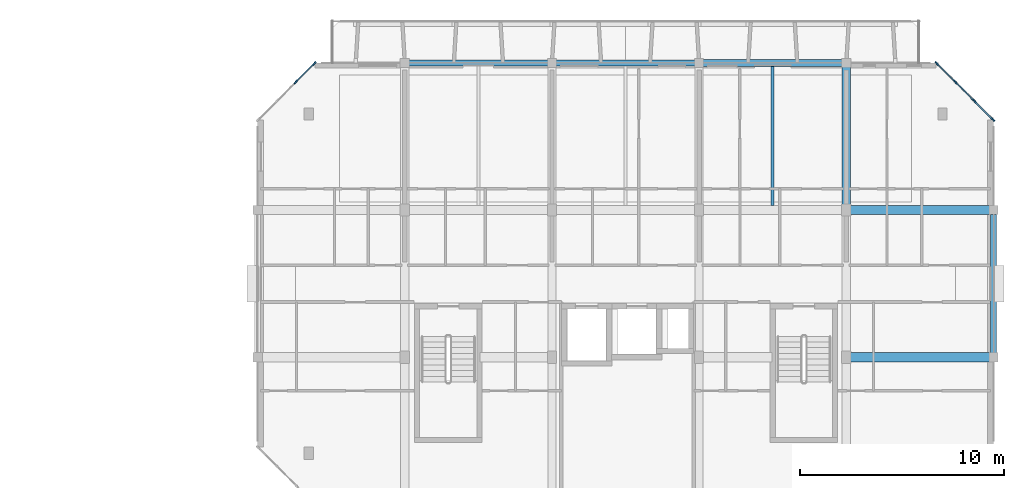
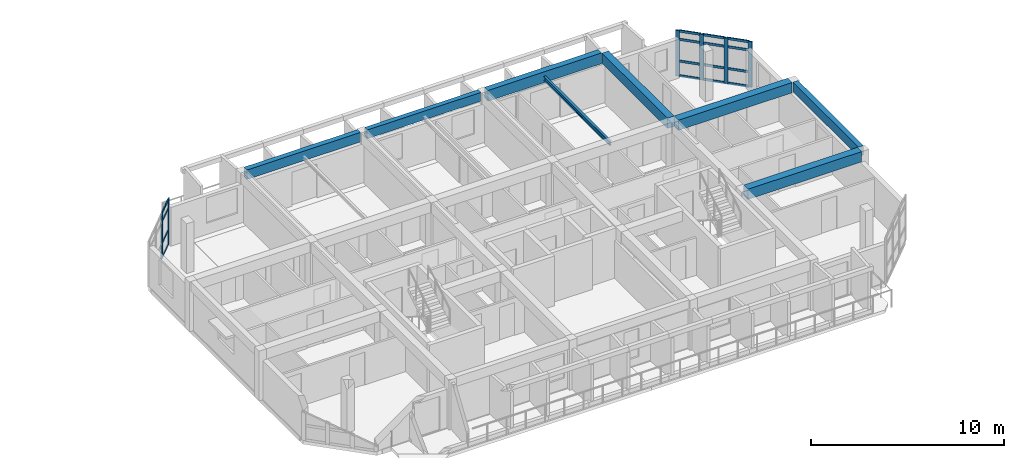
# One storey, part 8 of 30: 22 members, 8 beams, 2 elements without a shape of their own.
"""IFC4 building model written with IfcOpenShell, lengths in metres."""

from ifc_helpers import new_model, si_unit, direction, frame, origin, origin_2d, place, context, subcontext, project, spatial, rectangle, i_section, extrude, material, layer, layer_set, material_profile, profile_set, type_object, element, aggregate, save


model = new_model("IFC4")

# Units and contexts
model_context = context("Model", 3, precision=1e-05, world=origin(), true_north=direction((0.0, 1.0)))
body_context = subcontext(model_context, "Body", "Model", "MODEL_VIEW")
ifc_project = project(units=[si_unit("LENGTHUNIT", "METRE"), si_unit("AREAUNIT", "SQUARE_METRE"), si_unit("VOLUMEUNIT", "CUBIC_METRE"), si_unit("PLANEANGLEUNIT", "RADIAN"), si_unit("MASSUNIT", "GRAM", prefix="KILO")], contexts=[model_context])

# Site, building, storey
site_placement = place(None, origin())
site = spatial("IfcSite", under=ifc_project, at=site_placement, CompositionType="ELEMENT")
building_placement = place(site_placement, origin())
building = spatial("IfcBuilding", under=site, at=building_placement, Name="Ochrevale Crest", CompositionType="ELEMENT")
storey_placement = place(building_placement, frame((0.0, 0.0, 33.89990234375)))
storey = spatial("IfcBuildingStorey", under=building, at=storey_placement, Name="L10", CompositionType="ELEMENT", Elevation=33.89990234375)

# Beams
ifc_material_1 = material(Name="Precast concrete C50/60", Category="concrete")
ifc_material_profile_1 = material_profile(ifc_material_1, rectangle(XDim=0.39990234375, YDim=0.64990234375, at=origin_2d()), Name="PC 400x650")
ifc_profile_set_1 = profile_set([ifc_material_profile_1], Name="Precast concrete C50/60")
beam_type_1 = type_object("IfcBeamType", Name="BM-PC400x650", PredefinedType="BEAM", material=ifc_profile_set_1)
beam_1_placement = place(storey_placement, frame((158.39990234375, 86.60498046875, 2.8251953125), z_axis=(0.0, 1.0, 0.0), x_axis=(-1.0, 0.0, 0.0)))
element("IfcBeam", 1, at=beam_1_placement, inside=storey, type_object=beam_type_1, Name="Block D L10 N-S beam X=158.4", PredefinedType="BEAM", context=body_context, shape_type="SweptSolid", body=[
    extrude(rectangle(XDim=0.39990234375, YDim=0.64990234375, at=origin_2d()), origin(), (0.0, 0.0, 1.0), 6.7900390625),
])
ifc_material_2 = material(Name="Concrete C50/60", Category="concrete")
ifc_material_profile_2 = material_profile(ifc_material_2, rectangle(XDim=0.449951171875, YDim=0.64990234375, at=origin_2d()), Name="RC 450x650")
ifc_profile_set_2 = profile_set([ifc_material_profile_2], Name="Concrete C50/60")
beam_type_2 = type_object("IfcBeamType", Name="BM-PG450x650", PredefinedType="USERDEFINED", material=ifc_profile_set_2)
for number, where, z_axis, x_axis, name in (
    (2, (158.60009765625, 79.199951171875, 2.8251953125), (1.0, 0.0, 0.0), (0.0, 1.0, 0.0), "Block D L10 E-W beam Y=79.2"),
    (3, (158.60009765625, 86.39990234375, 2.8251953125), (1.0, 0.0, 0.0), (0.0, 1.0, 0.0), "Block D L10 E-W beam Y=86.4"),
):
    element("IfcBeam", number, at=place(storey_placement, frame(where, z_axis=z_axis, x_axis=x_axis)), inside=storey, type_object=beam_type_2, Name=name, ObjectType="GIRDER", PredefinedType="USERDEFINED", context=body_context, shape_type="SweptSolid", body=[
        extrude(rectangle(XDim=0.449951171875, YDim=0.64990234375, at=origin_2d()), origin(), (0.0, 0.0, 1.0), 6.7998046875),
    ])
ifc_material_3 = material(Name="Precast concrete C40/50", Category="concrete")
ifc_material_profile_3 = material_profile(ifc_material_3, rectangle(XDim=0.280029296875, YDim=0.550048828125, at=origin_2d()), Name="PC 280x550")
ifc_profile_set_3 = profile_set([ifc_material_profile_3], Name="Precast concrete C40/50")
beam_type_3 = type_object("IfcBeamType", Name="BM-SP280x550", PredefinedType="SPANDREL", material=ifc_profile_set_3)
beam_2_placement = place(storey_placement, frame((144.199951171875, 93.60009765625, 2.875), z_axis=(1.0, 0.0, 0.0), x_axis=(0.0, 1.0, 0.0)))
element("IfcBeam", 4, at=beam_2_placement, inside=storey, type_object=beam_type_3, Name="Block D L10 E-W beam Y=93.6", PredefinedType="SPANDREL", context=body_context, shape_type="SweptSolid", body=[
    extrude(rectangle(XDim=0.280029296875, YDim=0.550048828125, at=origin_2d()), origin(), (0.0, 0.0, 1.0), 6.800048828125),
])
ifc_material_profile_4 = material_profile(ifc_material_3, rectangle(XDim=0.300048828125, YDim=0.60009765625, at=origin_2d()), Name="PC 300x600")
ifc_profile_set_4 = profile_set([ifc_material_profile_4], Name="Precast concrete C40/50")
beam_type_4 = type_object("IfcBeamType", Name="BM-SP300x600", PredefinedType="SPANDREL", material=ifc_profile_set_4)
beam_3_placement = place(storey_placement, frame((137.0, 93.60009765625, 2.85009765625), z_axis=(1.0, 0.0, 0.0), x_axis=(0.0, 1.0, 0.0)))
element("IfcBeam", 5, at=beam_3_placement, inside=storey, type_object=beam_type_4, Name="Block D L10 E-W beam Y=93.6", PredefinedType="SPANDREL", context=body_context, shape_type="SweptSolid", body=[
    extrude(rectangle(XDim=0.300048828125, YDim=0.60009765625, at=origin_2d()), origin(), (0.0, 0.0, 1.0), 6.800048828125),
])
beam_4_placement = place(storey_placement, frame((165.60009765625, 79.405029296875, 2.85009765625), z_axis=(0.0, 1.0, 0.0), x_axis=(-1.0, 0.0, 0.0)))
element("IfcBeam", 6, at=beam_4_placement, inside=storey, type_object=beam_type_4, Name="Block D L10 N-S beam X=165.6", PredefinedType="SPANDREL", context=body_context, shape_type="SweptSolid", body=[
    extrude(rectangle(XDim=0.300048828125, YDim=0.60009765625, at=origin_2d()), origin(), (0.0, 0.0, 1.0), 6.7900390625),
])
ifc_material_profile_5 = material_profile(ifc_material_3, rectangle(XDim=0.35009765625, YDim=0.679931640625, at=origin_2d()), Name="PC 350x680")
ifc_profile_set_5 = profile_set([ifc_material_profile_5], Name="Precast concrete C40/50")
beam_type_5 = type_object("IfcBeamType", Name="BM-SP350x680", PredefinedType="SPANDREL", material=ifc_profile_set_5)
beam_5_placement = place(storey_placement, frame((151.39990234375, 93.60009765625, 2.81005859375), z_axis=(1.0, 0.0, 0.0), x_axis=(0.0, 1.0, 0.0)))
element("IfcBeam", 7, at=beam_5_placement, inside=storey, type_object=beam_type_5, Name="Block D L10 E-W beam Y=93.6", PredefinedType="SPANDREL", context=body_context, shape_type="SweptSolid", body=[
    extrude(rectangle(XDim=0.35009765625, YDim=0.679931640625, at=origin_2d()), origin(), (0.0, 0.0, 1.0), 6.800048828125),
])
ifc_material_4 = material(Name="Steel S355", Category="steel")
ifc_material_profile_6 = material_profile(ifc_material_4, i_section(OverallWidth=0.146484375, OverallDepth=0.256103515625, WebThickness=0.00634765625, FlangeThickness=0.010986328125, FilletRadius=0.0087890625, at=origin_2d()), Name="250UB37.3")
ifc_profile_set_6 = profile_set([ifc_material_profile_6], Name="Steel S355")
beam_type_6 = type_object("IfcBeamType", Name="BM-UB250B", PredefinedType="JOIST", material=ifc_profile_set_6)
beam_6_placement = place(storey_placement, frame((154.800048828125, 86.613037109375, 2.7470703125), z_axis=(0.0, 1.0, 0.0), x_axis=(-1.0, 0.0, 0.0)))
element("IfcBeam", 8, at=beam_6_placement, inside=storey, type_object=beam_type_6, Name="Block D L10 composite plank trimmer beam 4", PredefinedType="JOIST", context=body_context, shape_type="SweptSolid", body=[
    extrude(i_section(OverallWidth=0.146484375, OverallDepth=0.256103515625, WebThickness=0.00634765625, FlangeThickness=0.010986328125, FilletRadius=0.0087890625, at=origin_2d()), origin(), (0.0, 0.0, 1.0), 6.823974609375),
])

# Curtain wall, members
ifc_material_5 = material(Name="Anodised aluminium 6063-T5", Category="aluminium")
ifc_layer_1 = layer(ifc_material_5, 0.14990234375)
ifc_layer_set_1 = layer_set([ifc_layer_1], Name="Anodised aluminium 6063-T5")
curtain_wall_type_1 = type_object("IfcCurtainWallType", Name="CW-WG-420x285", PredefinedType="NOTDEFINED", material=ifc_layer_set_1)
curtain_wall_1_placement = place(storey_placement, origin())
curtain_wall_1 = element("IfcCurtainWall", 9, at=curtain_wall_1_placement, inside=storey, type_object=curtain_wall_type_1, Name="Block D L10 chamfered corner wintergarden curtain wall 4", PredefinedType="NOTDEFINED")
ifc_material_profile_7 = material_profile(ifc_material_5, rectangle(XDim=0.074951171875, YDim=0.219970703125, at=origin_2d()), Name="ALU 75x220")
ifc_profile_set_7 = profile_set([ifc_material_profile_7], Name="Anodised aluminium 6063-T5")
member_type_1 = type_object("IfcMemberType", Name="CW-MUL-75x220", PredefinedType="MULLION", material=ifc_profile_set_7)
member_1_placement = place(storey_placement, frame((165.573486328125, 90.826416015625, 0.0), z_axis=(0.0, 0.0, 1.0), x_axis=(-0.707106781187, -0.707106781187, 0.0)))
member_1 = element("IfcMember", 10, at=member_1_placement, type_object=member_type_1, Name="CW22 mullion 1", PredefinedType="MULLION", context=body_context, shape_type="SweptSolid", body=[
    extrude(rectangle(XDim=0.074951171875, YDim=0.219970703125, at=origin_2d()), origin(), (0.0, 0.0, 1.0), 2.875),
])
member_2_placement = place(storey_placement, frame((164.666748046875, 91.7333984375, 0.0), z_axis=(0.0, 0.0, 1.0), x_axis=(-0.707106781187, -0.707106781187, 0.0)))
member_2 = element("IfcMember", 11, at=member_2_placement, type_object=member_type_1, Name="CW22 mullion 2", PredefinedType="MULLION", context=body_context, shape_type="SweptSolid", body=[
    extrude(rectangle(XDim=0.074951171875, YDim=0.219970703125, at=origin_2d()), origin(), (0.0, 0.0, 1.0), 2.875),
])
member_3_placement = place(storey_placement, frame((163.7333984375, 92.666748046875, 0.0), z_axis=(0.0, 0.0, 1.0), x_axis=(-0.707106781187, -0.707106781187, 0.0)))
member_3 = element("IfcMember", 12, at=member_3_placement, type_object=member_type_1, Name="CW22 mullion 3", PredefinedType="MULLION", context=body_context, shape_type="SweptSolid", body=[
    extrude(rectangle(XDim=0.074951171875, YDim=0.219970703125, at=origin_2d()), origin(), (0.0, 0.0, 1.0), 2.875),
])
member_4_placement = place(storey_placement, frame((162.826416015625, 93.573486328125, 0.0), z_axis=(0.0, 0.0, 1.0), x_axis=(-0.707106781187, -0.707106781187, 0.0)))
member_4 = element("IfcMember", 13, at=member_4_placement, type_object=member_type_1, Name="CW22 mullion 4", PredefinedType="MULLION", context=body_context, shape_type="SweptSolid", body=[
    extrude(rectangle(XDim=0.074951171875, YDim=0.219970703125, at=origin_2d()), origin(), (0.0, 0.0, 1.0), 2.875),
])

ifc_layer_2 = layer(ifc_material_5, 0.14990234375)
ifc_layer_set_2 = layer_set([ifc_layer_2], Name="Anodised aluminium 6063-T5")
curtain_wall_type_2 = type_object("IfcCurtainWallType", Name="CW-WG-280x285", PredefinedType="NOTDEFINED", material=ifc_layer_set_2)
curtain_wall_2_placement = place(storey_placement, origin())
curtain_wall_2 = element("IfcCurtainWall", 14, at=curtain_wall_2_placement, inside=storey, type_object=curtain_wall_type_2, Name="Block D L10 chamfered corner wintergarden curtain wall 6", PredefinedType="NOTDEFINED")
member_5_placement = place(storey_placement, frame((132.37353515625, 93.573486328125, 0.0), z_axis=(0.0, 0.0, 1.0), x_axis=(0.707106781187, -0.707106781187, 0.0)))
member_5 = element("IfcMember", 15, at=member_5_placement, type_object=member_type_1, Name="CW16 mullion 1", PredefinedType="MULLION", context=body_context, shape_type="SweptSolid", body=[
    extrude(rectangle(XDim=0.074951171875, YDim=0.219970703125, at=origin_2d()), origin(), (0.0, 0.0, 1.0), 2.875),
])
member_6_placement = place(storey_placement, frame((131.466552734375, 92.666748046875, 0.0), z_axis=(0.0, 0.0, 1.0), x_axis=(0.707106781187, -0.707106781187, 0.0)))
member_6 = element("IfcMember", 16, at=member_6_placement, type_object=member_type_1, Name="CW16 mullion 2", PredefinedType="MULLION", context=body_context, shape_type="SweptSolid", body=[
    extrude(rectangle(XDim=0.074951171875, YDim=0.219970703125, at=origin_2d()), origin(), (0.0, 0.0, 1.0), 2.875),
])

# Member
ifc_material_profile_8 = material_profile(ifc_material_5, rectangle(XDim=0.06005859375, YDim=0.14990234375, at=origin_2d()), Name="ALU 60x150")
ifc_profile_set_8 = profile_set([ifc_material_profile_8], Name="Anodised aluminium 6063-T5")
member_type_2 = type_object("IfcMemberType", Name="CW-TRN-60x150", PredefinedType="USERDEFINED", material=ifc_profile_set_8)
member_7_placement = place(storey_placement, frame((165.546875, 90.85302734375, 0.030029296875), z_axis=(-0.707106781187, 0.707106781187, 0.0), x_axis=(-0.707106781187, -0.707106781187, 0.0)))
member_7 = element("IfcMember", 17, at=member_7_placement, type_object=member_type_2, Name="CW22 transom 1.1", ObjectType="TRANSOM", PredefinedType="USERDEFINED", context=body_context, shape_type="SweptSolid", body=[
    extrude(rectangle(XDim=0.06005859375, YDim=0.14990234375, at=origin_2d()), origin(), (0.0, 0.0, 1.0), 1.20751953125),
])

member_8_placement = place(storey_placement, frame((165.546875, 90.85302734375, 0.9501953125), z_axis=(-0.707106781187, 0.707106781187, 0.0), x_axis=(-0.707106781187, -0.707106781187, 0.0)))
member_8 = element("IfcMember", 18, at=member_8_placement, type_object=member_type_2, Name="CW22 transom 1.2", ObjectType="TRANSOM", PredefinedType="USERDEFINED", context=body_context, shape_type="SweptSolid", body=[
    extrude(rectangle(XDim=0.06005859375, YDim=0.14990234375, at=origin_2d()), origin(), (0.0, 0.0, 1.0), 1.20751953125),
])

member_9_placement = place(storey_placement, frame((165.546875, 90.85302734375, 2.3251953125), z_axis=(-0.707106781187, 0.707106781187, 0.0), x_axis=(-0.707106781187, -0.707106781187, 0.0)))
member_9 = element("IfcMember", 19, at=member_9_placement, type_object=member_type_2, Name="CW22 transom 1.3", ObjectType="TRANSOM", PredefinedType="USERDEFINED", context=body_context, shape_type="SweptSolid", body=[
    extrude(rectangle(XDim=0.06005859375, YDim=0.14990234375, at=origin_2d()), origin(), (0.0, 0.0, 1.0), 1.20751953125),
])

member_10_placement = place(storey_placement, frame((165.546875, 90.85302734375, 2.84521484375), z_axis=(-0.707106781187, 0.707106781187, 0.0), x_axis=(-0.707106781187, -0.707106781187, 0.0)))
member_10 = element("IfcMember", 20, at=member_10_placement, type_object=member_type_2, Name="CW22 transom 1.4", ObjectType="TRANSOM", PredefinedType="USERDEFINED", context=body_context, shape_type="SweptSolid", body=[
    extrude(rectangle(XDim=0.06005859375, YDim=0.14990234375, at=origin_2d()), origin(), (0.0, 0.0, 1.0), 1.20751953125),
])

member_11_placement = place(storey_placement, frame((164.64013671875, 91.759765625, 0.030029296875), z_axis=(-0.707106781187, 0.707106781187, 0.0), x_axis=(-0.707106781187, -0.707106781187, 0.0)))
member_11 = element("IfcMember", 21, at=member_11_placement, type_object=member_type_2, Name="CW22 transom 2.1", ObjectType="TRANSOM", PredefinedType="USERDEFINED", context=body_context, shape_type="SweptSolid", body=[
    extrude(rectangle(XDim=0.06005859375, YDim=0.14990234375, at=origin_2d()), origin(), (0.0, 0.0, 1.0), 1.2451171875),
])

member_12_placement = place(storey_placement, frame((164.64013671875, 91.759765625, 0.9501953125), z_axis=(-0.707106781187, 0.707106781187, 0.0), x_axis=(-0.707106781187, -0.707106781187, 0.0)))
member_12 = element("IfcMember", 22, at=member_12_placement, type_object=member_type_2, Name="CW22 transom 2.2", ObjectType="TRANSOM", PredefinedType="USERDEFINED", context=body_context, shape_type="SweptSolid", body=[
    extrude(rectangle(XDim=0.06005859375, YDim=0.14990234375, at=origin_2d()), origin(), (0.0, 0.0, 1.0), 1.2451171875),
])

member_13_placement = place(storey_placement, frame((164.64013671875, 91.759765625, 2.3251953125), z_axis=(-0.707106781187, 0.707106781187, 0.0), x_axis=(-0.707106781187, -0.707106781187, 0.0)))
member_13 = element("IfcMember", 23, at=member_13_placement, type_object=member_type_2, Name="CW22 transom 2.3", ObjectType="TRANSOM", PredefinedType="USERDEFINED", context=body_context, shape_type="SweptSolid", body=[
    extrude(rectangle(XDim=0.06005859375, YDim=0.14990234375, at=origin_2d()), origin(), (0.0, 0.0, 1.0), 1.2451171875),
])

member_14_placement = place(storey_placement, frame((164.64013671875, 91.759765625, 2.84521484375), z_axis=(-0.707106781187, 0.707106781187, 0.0), x_axis=(-0.707106781187, -0.707106781187, 0.0)))
member_14 = element("IfcMember", 24, at=member_14_placement, type_object=member_type_2, Name="CW22 transom 2.4", ObjectType="TRANSOM", PredefinedType="USERDEFINED", context=body_context, shape_type="SweptSolid", body=[
    extrude(rectangle(XDim=0.06005859375, YDim=0.14990234375, at=origin_2d()), origin(), (0.0, 0.0, 1.0), 1.2451171875),
])

member_15_placement = place(storey_placement, frame((163.706787109375, 92.693115234375, 0.030029296875), z_axis=(-0.707106781187, 0.707106781187, 0.0), x_axis=(-0.707106781187, -0.707106781187, 0.0)))
member_15 = element("IfcMember", 25, at=member_15_placement, type_object=member_type_2, Name="CW22 transom 3.1", ObjectType="TRANSOM", PredefinedType="USERDEFINED", context=body_context, shape_type="SweptSolid", body=[
    extrude(rectangle(XDim=0.06005859375, YDim=0.14990234375, at=origin_2d()), origin(), (0.0, 0.0, 1.0), 1.20751953125),
])

member_16_placement = place(storey_placement, frame((163.706787109375, 92.693115234375, 0.9501953125), z_axis=(-0.707106781187, 0.707106781187, 0.0), x_axis=(-0.707106781187, -0.707106781187, 0.0)))
member_16 = element("IfcMember", 26, at=member_16_placement, type_object=member_type_2, Name="CW22 transom 3.2", ObjectType="TRANSOM", PredefinedType="USERDEFINED", context=body_context, shape_type="SweptSolid", body=[
    extrude(rectangle(XDim=0.06005859375, YDim=0.14990234375, at=origin_2d()), origin(), (0.0, 0.0, 1.0), 1.20751953125),
])

member_17_placement = place(storey_placement, frame((163.706787109375, 92.693115234375, 2.3251953125), z_axis=(-0.707106781187, 0.707106781187, 0.0), x_axis=(-0.707106781187, -0.707106781187, 0.0)))
member_17 = element("IfcMember", 27, at=member_17_placement, type_object=member_type_2, Name="CW22 transom 3.3", ObjectType="TRANSOM", PredefinedType="USERDEFINED", context=body_context, shape_type="SweptSolid", body=[
    extrude(rectangle(XDim=0.06005859375, YDim=0.14990234375, at=origin_2d()), origin(), (0.0, 0.0, 1.0), 1.20751953125),
])

member_18_placement = place(storey_placement, frame((163.706787109375, 92.693115234375, 2.84521484375), z_axis=(-0.707106781187, 0.707106781187, 0.0), x_axis=(-0.707106781187, -0.707106781187, 0.0)))
member_18 = element("IfcMember", 28, at=member_18_placement, type_object=member_type_2, Name="CW22 transom 3.4", ObjectType="TRANSOM", PredefinedType="USERDEFINED", context=body_context, shape_type="SweptSolid", body=[
    extrude(rectangle(XDim=0.06005859375, YDim=0.14990234375, at=origin_2d()), origin(), (0.0, 0.0, 1.0), 1.20751953125),
])

aggregate(curtain_wall_1, [member_1, member_2, member_3, member_4, member_7, member_8, member_9, member_10, member_11, member_12, member_13, member_14, member_15, member_16, member_17, member_18])

member_19_placement = place(storey_placement, frame((132.346923828125, 93.546875, 0.030029296875), z_axis=(-0.707106781187, -0.707106781187, 0.0), x_axis=(0.707106781187, -0.707106781187, 0.0)))
member_19 = element("IfcMember", 29, at=member_19_placement, type_object=member_type_2, Name="CW16 transom 1.1", ObjectType="TRANSOM", PredefinedType="USERDEFINED", context=body_context, shape_type="SweptSolid", body=[
    extrude(rectangle(XDim=0.06005859375, YDim=0.14990234375, at=origin_2d()), origin(), (0.0, 0.0, 1.0), 1.20751953125),
])

member_20_placement = place(storey_placement, frame((132.346923828125, 93.546875, 0.9501953125), z_axis=(-0.707106781187, -0.707106781187, 0.0), x_axis=(0.707106781187, -0.707106781187, 0.0)))
member_20 = element("IfcMember", 30, at=member_20_placement, type_object=member_type_2, Name="CW16 transom 1.2", ObjectType="TRANSOM", PredefinedType="USERDEFINED", context=body_context, shape_type="SweptSolid", body=[
    extrude(rectangle(XDim=0.06005859375, YDim=0.14990234375, at=origin_2d()), origin(), (0.0, 0.0, 1.0), 1.20751953125),
])

member_21_placement = place(storey_placement, frame((132.346923828125, 93.546875, 2.3251953125), z_axis=(-0.707106781187, -0.707106781187, 0.0), x_axis=(0.707106781187, -0.707106781187, 0.0)))
member_21 = element("IfcMember", 31, at=member_21_placement, type_object=member_type_2, Name="CW16 transom 1.3", ObjectType="TRANSOM", PredefinedType="USERDEFINED", context=body_context, shape_type="SweptSolid", body=[
    extrude(rectangle(XDim=0.06005859375, YDim=0.14990234375, at=origin_2d()), origin(), (0.0, 0.0, 1.0), 1.20751953125),
])

member_22_placement = place(storey_placement, frame((132.346923828125, 93.546875, 2.84521484375), z_axis=(-0.707106781187, -0.707106781187, 0.0), x_axis=(0.707106781187, -0.707106781187, 0.0)))
member_22 = element("IfcMember", 32, at=member_22_placement, type_object=member_type_2, Name="CW16 transom 1.4", ObjectType="TRANSOM", PredefinedType="USERDEFINED", context=body_context, shape_type="SweptSolid", body=[
    extrude(rectangle(XDim=0.06005859375, YDim=0.14990234375, at=origin_2d()), origin(), (0.0, 0.0, 1.0), 1.20751953125),
])

aggregate(curtain_wall_2, [member_5, member_6, member_19, member_20, member_21, member_22])

save(model, "model.ifc")
